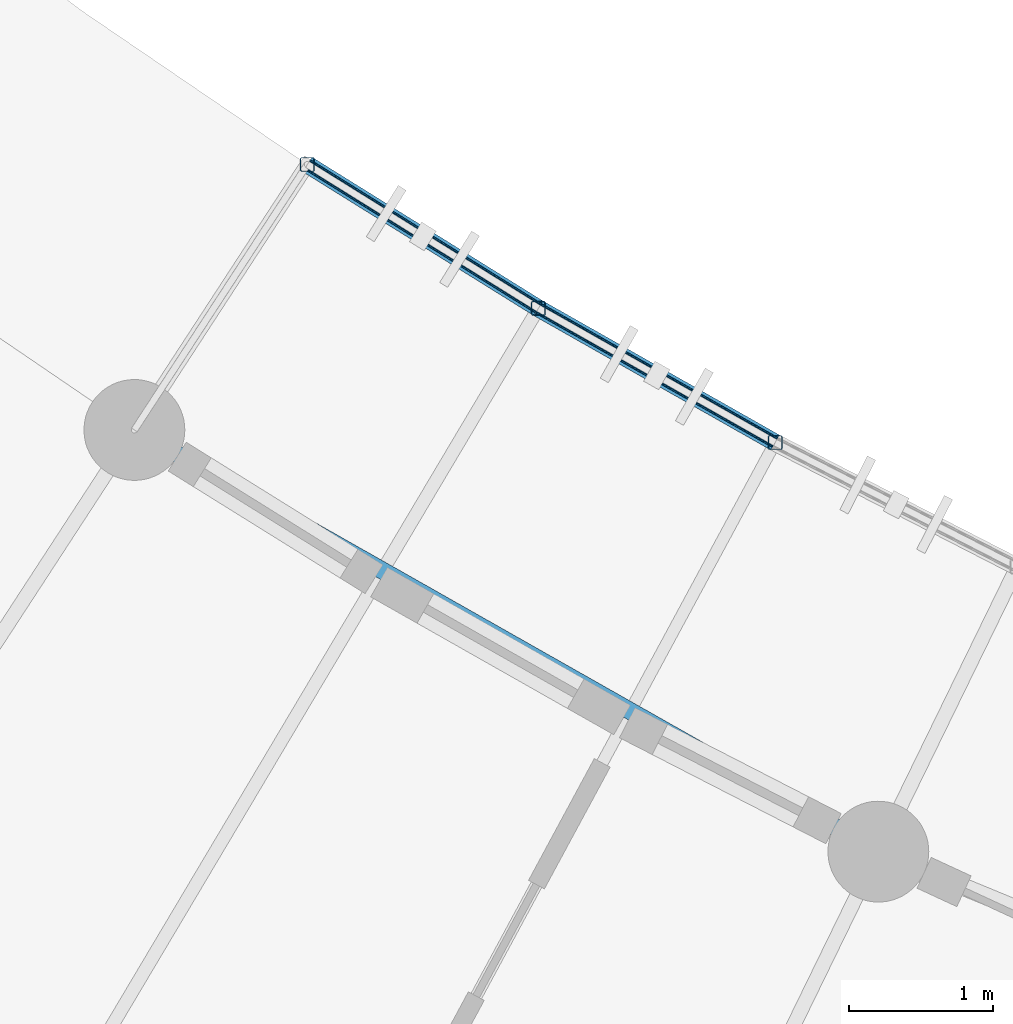
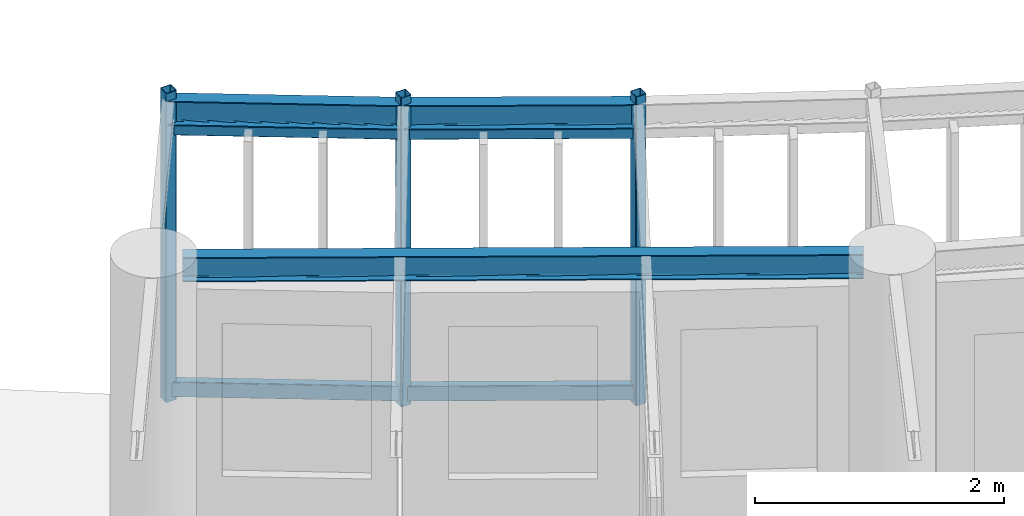
# One storey, part 18 of 137: 7 members, 3 beams.
"""IFC4 building model written with IfcOpenShell, lengths in metres."""

from ifc_helpers import new_model, si_unit, direction, frame, origin, origin_2d, place, context, subcontext, project, spatial, hollow_rectangle, i_section, extrude, material, material_profile, profile_set, type_object, element, save


model = new_model("IFC4")

# Units and contexts
model_context = context("Model", 3, precision=1e-05, world=origin(), true_north=direction((0.0, 1.0)))
body_context = subcontext(model_context, "Body", "Model", "MODEL_VIEW")
ifc_project = project(units=[si_unit("LENGTHUNIT", "METRE"), si_unit("AREAUNIT", "SQUARE_METRE"), si_unit("VOLUMEUNIT", "CUBIC_METRE"), si_unit("PLANEANGLEUNIT", "RADIAN"), si_unit("MASSUNIT", "GRAM", prefix="KILO"), si_unit("POWERUNIT", "WATT"), si_unit("THERMODYNAMICTEMPERATUREUNIT", "KELVIN")], contexts=[model_context])

# Site, building, storey
site_placement = place(None, origin())
site = spatial("IfcSite", under=ifc_project, at=site_placement, CompositionType="ELEMENT")
building_placement = place(site_placement, origin())
building = spatial("IfcBuilding", under=site, at=building_placement, Name="Ruvembo Vaulted Housing Court", CompositionType="ELEMENT")
storey_placement = place(building_placement, frame((0.0, 0.0, 4.5)))
storey = spatial("IfcBuildingStorey", under=building, at=storey_placement, Name="L01", CompositionType="ELEMENT", Elevation=4.5)

# Beams
ifc_material = material(Name="Steel S355J2", Category="steel")
ifc_material_profile_1 = material_profile(ifc_material, i_section(OverallWidth=0.1201171875, OverallDepth=0.239990234375, WebThickness=0.006103515625, FlangeThickness=0.009765625, FilletRadius=0.014892578125, at=origin_2d()), Name="IPE 240")
ifc_profile_set_1 = profile_set([ifc_material_profile_1], Name="Steel S355J2")
beam_type = type_object("IfcBeamType", Name="BM-ST-IPE240", PredefinedType="BEAM", material=ifc_profile_set_1)
beam_placement = place(storey_placement, frame((42.99365234375, 21.671875, 2.822021484375), z_axis=(0.869955253396, -0.493130669386, 0.0), x_axis=(0.493130669386, 0.869955253396, 0.0)))
element("IfcBeam", 1, at=beam_placement, inside=storey, type_object=beam_type, Name="Scoop SC2 L01 Chord Girder F0", PredefinedType="BEAM", context=body_context, shape_type="SweptSolid", body=[
    extrude(i_section(OverallWidth=0.1201171875, OverallDepth=0.239990234375, WebThickness=0.006103515625, FlangeThickness=0.009765625, FilletRadius=0.014892578125, at=origin_2d()), origin(), (0.0, 0.0, 1.0), 5.4765625),
])
for number, where, z_axis, x_axis, name in (
    (2, (43.99462890625, 23.62841796875, 2.820068359375), (0.848904567119, -0.52854615307, 0.0), (0.52854615307, 0.848904567119, 0.0), "Scoop SC2 L01 Balcony Edge Spandrel 0"),
    (3, (45.598388671875, 22.6298828125, 2.820068359375), (0.869955662473, -0.493129947712, 0.0), (0.493129947712, 0.869955662473, 0.0), "Scoop SC2 L01 Balcony Edge Spandrel 1"),
):
    element("IfcBeam", number, at=place(storey_placement, frame(where, z_axis=z_axis, x_axis=x_axis)), inside=storey, type_object=beam_type, Name=name, PredefinedType="BEAM", context=body_context, shape_type="SweptSolid", body=[
        extrude(i_section(OverallWidth=0.1201171875, OverallDepth=0.239990234375, WebThickness=0.006103515625, FlangeThickness=0.009765625, FilletRadius=0.014892578125, at=origin_2d()), origin(), (0.0, 0.0, 1.0), 1.88916015625),
    ])

# Members
ifc_material_profile_2 = material_profile(ifc_material, hollow_rectangle(XDim=0.06005859375, YDim=0.1201171875, WallThickness=0.0048828125, InnerFilletRadius=0.0048828125, OuterFilletRadius=0.010009765625, at=origin_2d()), Name="RHS 120x60x5")
ifc_profile_set_2 = profile_set([ifc_material_profile_2], Name="Steel S355J2")
member_type_1 = type_object("IfcMemberType", Name="MEM-CAR-RHS120", PredefinedType="CHORD", material=ifc_profile_set_2)
for number, where, z_axis, x_axis, name in (
    (4, (43.99462890625, 23.62841796875, 2.64306640625), (0.848904567119, -0.52854615307, 0.0), (0.52854615307, 0.848904567119, 0.0), "Scoop SC2 L01 Upper Louvre Carrier Rail 0"),
    (5, (45.598388671875, 22.6298828125, 2.64306640625), (0.869955662473, -0.493129947712, 0.0), (0.493129947712, 0.869955662473, 0.0), "Scoop SC2 L01 Upper Louvre Carrier Rail 1"),
):
    element("IfcMember", number, at=place(storey_placement, frame(where, z_axis=z_axis, x_axis=x_axis)), inside=storey, type_object=member_type_1, Name=name, PredefinedType="CHORD", context=body_context, shape_type="SweptSolid", body=[
        extrude(hollow_rectangle(XDim=0.06005859375, YDim=0.1201171875, WallThickness=0.0048828125, InnerFilletRadius=0.0048828125, OuterFilletRadius=0.010009765625, at=origin_2d()), origin(), (0.0, 0.0, 1.0), 1.88916015625),
    ])
ifc_material_profile_3 = material_profile(ifc_material, hollow_rectangle(XDim=0.080078125, YDim=0.14990234375, WallThickness=0.00634765625, InnerFilletRadius=0.00634765625, OuterFilletRadius=0.0126953125, at=origin_2d()), Name="RHS 150x80x6.3")
ifc_profile_set_3 = profile_set([ifc_material_profile_3], Name="Steel S355J2")
member_type_2 = type_object("IfcMemberType", Name="MEM-CAR-RHS150", PredefinedType="CHORD", material=ifc_profile_set_3)
for number, where, z_axis, x_axis, name in (
    (6, (43.99462890625, 23.62841796875, 0.094970703125), (0.848904567119, -0.52854615307, 0.0), (0.52854615307, 0.848904567119, 0.0), "Scoop SC2 L01 Lower Louvre Carrier Rail 0"),
    (7, (45.598388671875, 22.6298828125, 0.094970703125), (0.869955662473, -0.493129947712, 0.0), (0.493129947712, 0.869955662473, 0.0), "Scoop SC2 L01 Lower Louvre Carrier Rail 1"),
):
    element("IfcMember", number, at=place(storey_placement, frame(where, z_axis=z_axis, x_axis=x_axis)), inside=storey, type_object=member_type_2, Name=name, PredefinedType="CHORD", context=body_context, shape_type="SweptSolid", body=[
        extrude(hollow_rectangle(XDim=0.080078125, YDim=0.14990234375, WallThickness=0.00634765625, InnerFilletRadius=0.00634765625, OuterFilletRadius=0.0126953125, at=origin_2d()), origin(), (0.0, 0.0, 1.0), 1.88916015625),
    ])
ifc_material_profile_4 = material_profile(ifc_material, hollow_rectangle(XDim=0.10009765625, YDim=0.10009765625, WallThickness=0.00634765625, InnerFilletRadius=0.00634765625, OuterFilletRadius=0.0126953125, at=origin_2d()), Name="SHS 100x100x6.3")
ifc_profile_set_4 = profile_set([ifc_material_profile_4], Name="Steel S355J2")
member_type_3 = type_object("IfcMemberType", Name="MEM-FRM-SHS100", PredefinedType="STRUT", material=ifc_profile_set_4)
for number, where, z_axis, x_axis, name in (
    (8, (43.99462890625, 23.62841796875, -0.014892578125), (0.0, 0.0, 1.0), (1.0, 0.0, 0.0), "Scoop SC2 L01 Louvre Frame Post 0"),
    (9, (45.598388671875, 22.6298828125, -0.014892578125), (0.0, 0.0, 1.0), (1.0, 0.0, 0.0), "Scoop SC2 L01 Louvre Frame Post 1"),
    (10, (47.241943359375, 21.6982421875, -0.014892578125), (0.0, 0.0, 1.0), (1.0, 0.0, 0.0), "Scoop SC2 L01 Louvre Frame Post 2"),
):
    element("IfcMember", number, at=place(storey_placement, frame(where, z_axis=z_axis, x_axis=x_axis)), inside=storey, type_object=member_type_3, Name=name, PredefinedType="STRUT", context=body_context, shape_type="SweptSolid", body=[
        extrude(hollow_rectangle(XDim=0.10009765625, YDim=0.10009765625, WallThickness=0.00634765625, InnerFilletRadius=0.00634765625, OuterFilletRadius=0.0126953125, at=origin_2d()), origin(), (0.0, 0.0, 1.0), 3.032958984375),
    ])

save(model, "model.ifc")
